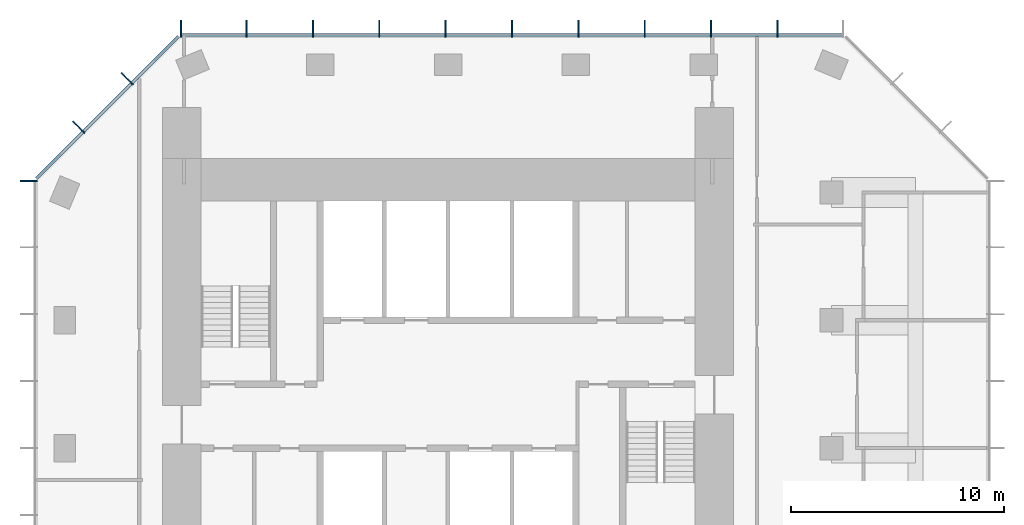
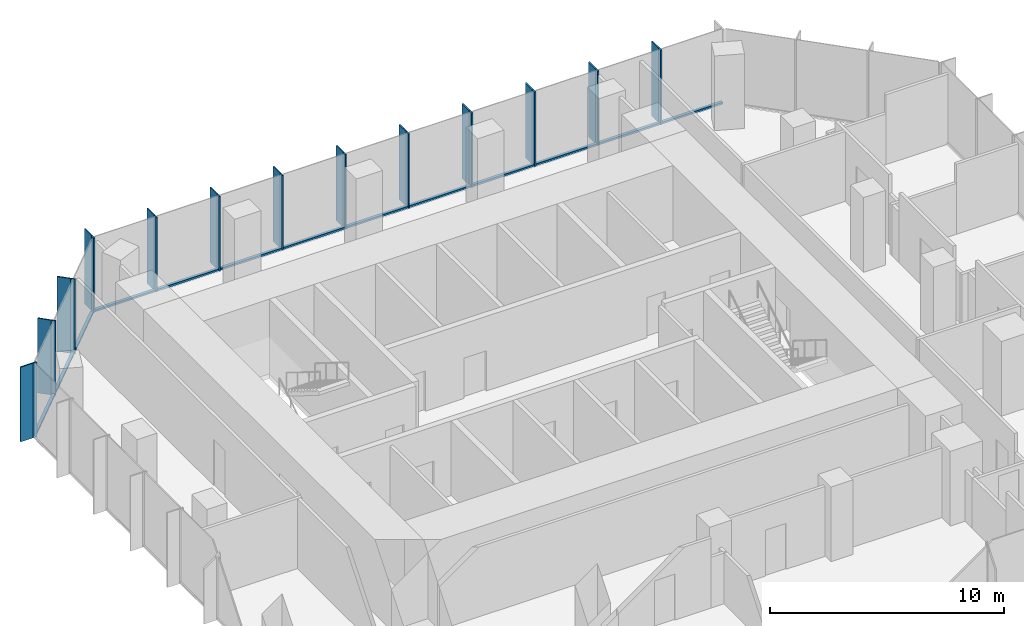
# One storey, part 5 of 11: 39 members, 3 elements without a shape of their own.
"""IFC4 building model written with IfcOpenShell, lengths in metres."""

from ifc_helpers import new_model, si_unit, direction, frame, origin, origin_2d, place, context, subcontext, project, spatial, rectangle, extrude, material, layer, layer_set, material_profile, profile_set, type_object, element, aggregate, save


model = new_model("IFC4")

# Units and contexts
model_context = context("Model", 3, precision=1e-05, world=origin(), true_north=direction((0.0, 1.0)))
body_context = subcontext(model_context, "Body", "Model", "MODEL_VIEW")
ifc_project = project(units=[si_unit("LENGTHUNIT", "METRE"), si_unit("AREAUNIT", "SQUARE_METRE"), si_unit("VOLUMEUNIT", "CUBIC_METRE"), si_unit("PLANEANGLEUNIT", "RADIAN"), si_unit("MASSUNIT", "GRAM", prefix="KILO")], contexts=[model_context])

# Site, building, storey
site_placement = place(None, origin())
site = spatial("IfcSite", under=ifc_project, at=site_placement, CompositionType="ELEMENT")
building_placement = place(site_placement, origin())
building = spatial("IfcBuilding", under=site, at=building_placement, Name="Highveld Stack Headquarters", CompositionType="ELEMENT")
storey_placement = place(building_placement, frame((0.0, 0.0, 280.10009765625)))
storey = spatial("IfcBuildingStorey", under=building, at=storey_placement, Name="L69", CompositionType="ELEMENT", Elevation=280.10009765625)

# Curtain wall, members
ifc_material_1 = material(Name="Aluminium bronze anodised", Category="aluminium")
ifc_layer = layer(ifc_material_1, 0.199951171875)
ifc_layer_set = layer_set([ifc_layer], Name="Aluminium bronze anodised")
curtain_wall_type = type_object("IfcCurtainWallType", Name="CW5 EXECUTIVE UNITISED CURTAIN WALL", PredefinedType="NOTDEFINED", material=ifc_layer_set)
curtain_wall_1_placement = place(storey_placement, origin())
curtain_wall_1 = element("IfcCurtainWall", 1, at=curtain_wall_1_placement, inside=storey, type_object=curtain_wall_type, Name="Curtain wall CW5 L69 N", PredefinedType="NOTDEFINED")
ifc_material_2 = material(Name="Aluminium bronze anodised", Category="aluminium")
ifc_material_profile_1 = material_profile(ifc_material_2, rectangle(XDim=0.60009765625, YDim=0.06005859375, at=origin_2d()), Name="FIN 600x60")
ifc_profile_set_1 = profile_set([ifc_material_profile_1], Name="Aluminium bronze anodised")
member_type_1 = type_object("IfcMemberType", Name="CW5 BRONZE FIN 600x60", PredefinedType="USERDEFINED", material=ifc_profile_set_1)
member_1_placement = place(storey_placement, frame((21.4638671875, 19.800048828125, 0.0), z_axis=(0.0, 0.0, 1.0), x_axis=(0.0, -1.0, 0.0)))
member_1 = element("IfcMember", 2, at=member_1_placement, type_object=member_type_1, Name="CW5 fin L69 2", ObjectType="FIN", PredefinedType="USERDEFINED", context=body_context, shape_type="SweptSolid", body=[
    extrude(rectangle(XDim=0.60009765625, YDim=0.06005859375, at=origin_2d()), origin(), (0.0, 0.0, 1.0), 3.89990234375),
])
member_2_placement = place(storey_placement, frame((18.347900390625, 19.800048828125, 0.0), z_axis=(0.0, 0.0, 1.0), x_axis=(0.0, -1.0, 0.0)))
member_2 = element("IfcMember", 3, at=member_2_placement, type_object=member_type_1, Name="CW5 fin L69 3", ObjectType="FIN", PredefinedType="USERDEFINED", context=body_context, shape_type="SweptSolid", body=[
    extrude(rectangle(XDim=0.60009765625, YDim=0.06005859375, at=origin_2d()), origin(), (0.0, 0.0, 1.0), 3.89990234375),
])
member_3_placement = place(storey_placement, frame((15.23193359375, 19.800048828125, 0.0), z_axis=(0.0, 0.0, 1.0), x_axis=(0.0, -1.0, 0.0)))
member_3 = element("IfcMember", 4, at=member_3_placement, type_object=member_type_1, Name="CW5 fin L69 4", ObjectType="FIN", PredefinedType="USERDEFINED", context=body_context, shape_type="SweptSolid", body=[
    extrude(rectangle(XDim=0.60009765625, YDim=0.06005859375, at=origin_2d()), origin(), (0.0, 0.0, 1.0), 3.89990234375),
])
member_4_placement = place(storey_placement, frame((12.115966796875, 19.800048828125, 0.0), z_axis=(0.0, 0.0, 1.0), x_axis=(0.0, -1.0, 0.0)))
member_4 = element("IfcMember", 5, at=member_4_placement, type_object=member_type_1, Name="CW5 fin L69 5", ObjectType="FIN", PredefinedType="USERDEFINED", context=body_context, shape_type="SweptSolid", body=[
    extrude(rectangle(XDim=0.60009765625, YDim=0.06005859375, at=origin_2d()), origin(), (0.0, 0.0, 1.0), 3.89990234375),
])
member_5_placement = place(storey_placement, frame((9.0, 19.800048828125, 0.0), z_axis=(0.0, 0.0, 1.0), x_axis=(0.0, -1.0, 0.0)))
member_5 = element("IfcMember", 6, at=member_5_placement, type_object=member_type_1, Name="CW5 fin L69 6", ObjectType="FIN", PredefinedType="USERDEFINED", context=body_context, shape_type="SweptSolid", body=[
    extrude(rectangle(XDim=0.60009765625, YDim=0.06005859375, at=origin_2d()), origin(), (0.0, 0.0, 1.0), 3.89990234375),
])
member_6_placement = place(storey_placement, frame((5.884033203125, 19.800048828125, 0.0), z_axis=(0.0, 0.0, 1.0), x_axis=(0.0, -1.0, 0.0)))
member_6 = element("IfcMember", 7, at=member_6_placement, type_object=member_type_1, Name="CW5 fin L69 7", ObjectType="FIN", PredefinedType="USERDEFINED", context=body_context, shape_type="SweptSolid", body=[
    extrude(rectangle(XDim=0.60009765625, YDim=0.06005859375, at=origin_2d()), origin(), (0.0, 0.0, 1.0), 3.89990234375),
])
member_7_placement = place(storey_placement, frame((2.76806640625, 19.800048828125, 0.0), z_axis=(0.0, 0.0, 1.0), x_axis=(0.0, -1.0, 0.0)))
member_7 = element("IfcMember", 8, at=member_7_placement, type_object=member_type_1, Name="CW5 fin L69 8", ObjectType="FIN", PredefinedType="USERDEFINED", context=body_context, shape_type="SweptSolid", body=[
    extrude(rectangle(XDim=0.60009765625, YDim=0.06005859375, at=origin_2d()), origin(), (0.0, 0.0, 1.0), 3.89990234375),
])
member_8_placement = place(storey_placement, frame((-0.347900390625, 19.800048828125, 0.0), z_axis=(0.0, 0.0, 1.0), x_axis=(0.0, -1.0, 0.0)))
member_8 = element("IfcMember", 9, at=member_8_placement, type_object=member_type_1, Name="CW5 fin L69 9", ObjectType="FIN", PredefinedType="USERDEFINED", context=body_context, shape_type="SweptSolid", body=[
    extrude(rectangle(XDim=0.60009765625, YDim=0.06005859375, at=origin_2d()), origin(), (0.0, 0.0, 1.0), 3.89990234375),
])
member_9_placement = place(storey_placement, frame((-3.4638671875, 19.800048828125, 0.0), z_axis=(0.0, 0.0, 1.0), x_axis=(0.0, -1.0, 0.0)))
member_9 = element("IfcMember", 10, at=member_9_placement, type_object=member_type_1, Name="CW5 fin L69 10", ObjectType="FIN", PredefinedType="USERDEFINED", context=body_context, shape_type="SweptSolid", body=[
    extrude(rectangle(XDim=0.60009765625, YDim=0.06005859375, at=origin_2d()), origin(), (0.0, 0.0, 1.0), 3.89990234375),
])
member_10_placement = place(storey_placement, frame((-6.54736328125, 19.800048828125, 0.0), z_axis=(0.0, 0.0, 1.0), x_axis=(0.0, -1.0, 0.0)))
member_10 = element("IfcMember", 11, at=member_10_placement, type_object=member_type_1, Name="CW5 fin L69 11", ObjectType="FIN", PredefinedType="USERDEFINED", context=body_context, shape_type="SweptSolid", body=[
    extrude(rectangle(XDim=0.60009765625, YDim=0.06005859375, at=origin_2d()), origin(), (0.0, 0.0, 1.0), 3.89990234375),
])

curtain_wall_2_placement = place(storey_placement, origin())
curtain_wall_2 = element("IfcCurtainWall", 12, at=curtain_wall_2_placement, inside=storey, type_object=curtain_wall_type, Name="Curtain wall CW5 L69 NW", PredefinedType="NOTDEFINED")
member_11_placement = place(storey_placement, frame((-9.135986328125, 17.409423828125, 0.0), z_axis=(0.0, 0.0, 1.0), x_axis=(0.707106781187, -0.707106781187, 0.0)))
member_11 = element("IfcMember", 13, at=member_11_placement, type_object=member_type_1, Name="CW5 fin L69 1", ObjectType="FIN", PredefinedType="USERDEFINED", context=body_context, shape_type="SweptSolid", body=[
    extrude(rectangle(XDim=0.60009765625, YDim=0.06005859375, at=origin_2d()), origin(), (0.0, 0.0, 1.0), 3.89990234375),
])
member_12_placement = place(storey_placement, frame((-11.409423828125, 15.135986328125, 0.0), z_axis=(0.0, 0.0, 1.0), x_axis=(0.707106781187, -0.707106781187, 0.0)))
member_12 = element("IfcMember", 14, at=member_12_placement, type_object=member_type_1, Name="CW5 fin L69 2", ObjectType="FIN", PredefinedType="USERDEFINED", context=body_context, shape_type="SweptSolid", body=[
    extrude(rectangle(XDim=0.60009765625, YDim=0.06005859375, at=origin_2d()), origin(), (0.0, 0.0, 1.0), 3.89990234375),
])

# Curtain wall, member
curtain_wall_3_placement = place(storey_placement, origin())
curtain_wall_3 = element("IfcCurtainWall", 15, at=curtain_wall_3_placement, inside=storey, type_object=curtain_wall_type, Name="Curtain wall CW5 L69 W", PredefinedType="NOTDEFINED")
member_13_placement = place(storey_placement, frame((-13.800048828125, 12.54736328125, 0.0), z_axis=(0.0, 0.0, 1.0), x_axis=(1.0, 0.0, 0.0)))
member_13 = element("IfcMember", 16, at=member_13_placement, type_object=member_type_1, Name="CW5 fin L69 1", ObjectType="FIN", PredefinedType="USERDEFINED", context=body_context, shape_type="SweptSolid", body=[
    extrude(rectangle(XDim=0.60009765625, YDim=0.06005859375, at=origin_2d()), origin(), (0.0, 0.0, 1.0), 3.89990234375),
])

# Member
ifc_material_3 = material(Name="Aluminium bronze anodised", Category="aluminium")
ifc_material_profile_2 = material_profile(ifc_material_3, rectangle(XDim=0.199951171875, YDim=0.06494140625, at=origin_2d()), Name="CW5 MULLION 65x200")
ifc_profile_set_2 = profile_set([ifc_material_profile_2], Name="Aluminium bronze anodised")
member_type_2 = type_object("IfcMemberType", Name="CW5 MULLION 65x200", PredefinedType="MULLION", material=ifc_profile_set_2)
member_14_placement = place(storey_placement, frame((21.4638671875, 19.39990234375, 0.0), z_axis=(0.0, 0.0, 1.0), x_axis=(0.0, -1.0, 0.0)))
member_14 = element("IfcMember", 17, at=member_14_placement, type_object=member_type_2, Name="CW5 mullion L69 2", PredefinedType="MULLION", context=body_context, shape_type="SweptSolid", body=[
    extrude(rectangle(XDim=0.199951171875, YDim=0.06494140625, at=origin_2d()), origin(), (0.0, 0.0, 1.0), 3.89990234375),
])

member_15_placement = place(storey_placement, frame((18.347900390625, 19.39990234375, 0.0), z_axis=(0.0, 0.0, 1.0), x_axis=(0.0, -1.0, 0.0)))
member_15 = element("IfcMember", 18, at=member_15_placement, type_object=member_type_2, Name="CW5 mullion L69 3", PredefinedType="MULLION", context=body_context, shape_type="SweptSolid", body=[
    extrude(rectangle(XDim=0.199951171875, YDim=0.06494140625, at=origin_2d()), origin(), (0.0, 0.0, 1.0), 3.89990234375),
])

member_16_placement = place(storey_placement, frame((15.23193359375, 19.39990234375, 0.0), z_axis=(0.0, 0.0, 1.0), x_axis=(0.0, -1.0, 0.0)))
member_16 = element("IfcMember", 19, at=member_16_placement, type_object=member_type_2, Name="CW5 mullion L69 4", PredefinedType="MULLION", context=body_context, shape_type="SweptSolid", body=[
    extrude(rectangle(XDim=0.199951171875, YDim=0.06494140625, at=origin_2d()), origin(), (0.0, 0.0, 1.0), 3.89990234375),
])

member_17_placement = place(storey_placement, frame((12.115966796875, 19.39990234375, 0.0), z_axis=(0.0, 0.0, 1.0), x_axis=(0.0, -1.0, 0.0)))
member_17 = element("IfcMember", 20, at=member_17_placement, type_object=member_type_2, Name="CW5 mullion L69 5", PredefinedType="MULLION", context=body_context, shape_type="SweptSolid", body=[
    extrude(rectangle(XDim=0.199951171875, YDim=0.06494140625, at=origin_2d()), origin(), (0.0, 0.0, 1.0), 3.89990234375),
])

member_18_placement = place(storey_placement, frame((9.0, 19.39990234375, 0.0), z_axis=(0.0, 0.0, 1.0), x_axis=(0.0, -1.0, 0.0)))
member_18 = element("IfcMember", 21, at=member_18_placement, type_object=member_type_2, Name="CW5 mullion L69 6", PredefinedType="MULLION", context=body_context, shape_type="SweptSolid", body=[
    extrude(rectangle(XDim=0.199951171875, YDim=0.06494140625, at=origin_2d()), origin(), (0.0, 0.0, 1.0), 3.89990234375),
])

member_19_placement = place(storey_placement, frame((5.884033203125, 19.39990234375, 0.0), z_axis=(0.0, 0.0, 1.0), x_axis=(0.0, -1.0, 0.0)))
member_19 = element("IfcMember", 22, at=member_19_placement, type_object=member_type_2, Name="CW5 mullion L69 7", PredefinedType="MULLION", context=body_context, shape_type="SweptSolid", body=[
    extrude(rectangle(XDim=0.199951171875, YDim=0.06494140625, at=origin_2d()), origin(), (0.0, 0.0, 1.0), 3.89990234375),
])

member_20_placement = place(storey_placement, frame((2.76806640625, 19.39990234375, 0.0), z_axis=(0.0, 0.0, 1.0), x_axis=(0.0, -1.0, 0.0)))
member_20 = element("IfcMember", 23, at=member_20_placement, type_object=member_type_2, Name="CW5 mullion L69 8", PredefinedType="MULLION", context=body_context, shape_type="SweptSolid", body=[
    extrude(rectangle(XDim=0.199951171875, YDim=0.06494140625, at=origin_2d()), origin(), (0.0, 0.0, 1.0), 3.89990234375),
])

member_21_placement = place(storey_placement, frame((-0.347900390625, 19.39990234375, 0.0), z_axis=(0.0, 0.0, 1.0), x_axis=(0.0, -1.0, 0.0)))
member_21 = element("IfcMember", 24, at=member_21_placement, type_object=member_type_2, Name="CW5 mullion L69 9", PredefinedType="MULLION", context=body_context, shape_type="SweptSolid", body=[
    extrude(rectangle(XDim=0.199951171875, YDim=0.06494140625, at=origin_2d()), origin(), (0.0, 0.0, 1.0), 3.89990234375),
])

member_22_placement = place(storey_placement, frame((-3.4638671875, 19.39990234375, 0.0), z_axis=(0.0, 0.0, 1.0), x_axis=(0.0, -1.0, 0.0)))
member_22 = element("IfcMember", 25, at=member_22_placement, type_object=member_type_2, Name="CW5 mullion L69 10", PredefinedType="MULLION", context=body_context, shape_type="SweptSolid", body=[
    extrude(rectangle(XDim=0.199951171875, YDim=0.06494140625, at=origin_2d()), origin(), (0.0, 0.0, 1.0), 3.89990234375),
])

member_23_placement = place(storey_placement, frame((-6.54736328125, 19.39990234375, 0.0), z_axis=(0.0, 0.0, 1.0), x_axis=(0.0, -1.0, 0.0)))
member_23 = element("IfcMember", 26, at=member_23_placement, type_object=member_type_2, Name="CW5 mullion L69 11", PredefinedType="MULLION", context=body_context, shape_type="SweptSolid", body=[
    extrude(rectangle(XDim=0.199951171875, YDim=0.06494140625, at=origin_2d()), origin(), (0.0, 0.0, 1.0), 3.89990234375),
])

member_24_placement = place(storey_placement, frame((-8.853271484375, 17.126708984375, 0.0), z_axis=(0.0, 0.0, 1.0), x_axis=(0.707106781187, -0.707106781187, 0.0)))
member_24 = element("IfcMember", 27, at=member_24_placement, type_object=member_type_2, Name="CW5 mullion L69 1", PredefinedType="MULLION", context=body_context, shape_type="SweptSolid", body=[
    extrude(rectangle(XDim=0.199951171875, YDim=0.06494140625, at=origin_2d()), origin(), (0.0, 0.0, 1.0), 3.89990234375),
])

member_25_placement = place(storey_placement, frame((-11.126708984375, 14.853271484375, 0.0), z_axis=(0.0, 0.0, 1.0), x_axis=(0.707106781187, -0.707106781187, 0.0)))
member_25 = element("IfcMember", 28, at=member_25_placement, type_object=member_type_2, Name="CW5 mullion L69 2", PredefinedType="MULLION", context=body_context, shape_type="SweptSolid", body=[
    extrude(rectangle(XDim=0.199951171875, YDim=0.06494140625, at=origin_2d()), origin(), (0.0, 0.0, 1.0), 3.89990234375),
])

member_26_placement = place(storey_placement, frame((-13.39990234375, 12.54736328125, 0.0), z_axis=(0.0, 0.0, 1.0), x_axis=(1.0, 0.0, 0.0)))
member_26 = element("IfcMember", 29, at=member_26_placement, type_object=member_type_2, Name="CW5 mullion L69 1", PredefinedType="MULLION", context=body_context, shape_type="SweptSolid", body=[
    extrude(rectangle(XDim=0.199951171875, YDim=0.06494140625, at=origin_2d()), origin(), (0.0, 0.0, 1.0), 3.89990234375),
])

aggregate(curtain_wall_3, [member_26, member_13])

ifc_material_4 = material(Name="Aluminium bronze anodised", Category="aluminium")
ifc_material_profile_3 = material_profile(ifc_material_4, rectangle(XDim=0.14990234375, YDim=0.10009765625, at=origin_2d()), Name="CW5 TRANSOM 150x100")
ifc_profile_set_3 = profile_set([ifc_material_profile_3], Name="Aluminium bronze anodised")
member_type_3 = type_object("IfcMemberType", Name="CW5 STACK TRANSOM 150x100", PredefinedType="USERDEFINED", material=ifc_profile_set_3)
member_27_placement = place(storey_placement, frame((24.514892578125, 19.39990234375, 0.0498046875), z_axis=(-1.0, 0.0, 0.0), x_axis=(0.0, -1.0, 0.0)))
member_27 = element("IfcMember", 30, at=member_27_placement, type_object=member_type_3, Name="CW5 transom L69 1.1", ObjectType="TRANSOM", PredefinedType="USERDEFINED", context=body_context, shape_type="SweptSolid", body=[
    extrude(rectangle(XDim=0.14990234375, YDim=0.10009765625, at=origin_2d()), origin(), (0.0, 0.0, 1.0), 3.0185546875),
])

member_28_placement = place(storey_placement, frame((21.431396484375, 19.39990234375, 0.0498046875), z_axis=(-1.0, 0.0, 0.0), x_axis=(0.0, -1.0, 0.0)))
member_28 = element("IfcMember", 31, at=member_28_placement, type_object=member_type_3, Name="CW5 transom L69 2.1", ObjectType="TRANSOM", PredefinedType="USERDEFINED", context=body_context, shape_type="SweptSolid", body=[
    extrude(rectangle(XDim=0.14990234375, YDim=0.10009765625, at=origin_2d()), origin(), (0.0, 0.0, 1.0), 3.051025390625),
])

member_29_placement = place(storey_placement, frame((18.3154296875, 19.39990234375, 0.0498046875), z_axis=(-1.0, 0.0, 0.0), x_axis=(0.0, -1.0, 0.0)))
member_29 = element("IfcMember", 32, at=member_29_placement, type_object=member_type_3, Name="CW5 transom L69 3.1", ObjectType="TRANSOM", PredefinedType="USERDEFINED", context=body_context, shape_type="SweptSolid", body=[
    extrude(rectangle(XDim=0.14990234375, YDim=0.10009765625, at=origin_2d()), origin(), (0.0, 0.0, 1.0), 3.051025390625),
])

member_30_placement = place(storey_placement, frame((15.199462890625, 19.39990234375, 0.0498046875), z_axis=(-1.0, 0.0, 0.0), x_axis=(0.0, -1.0, 0.0)))
member_30 = element("IfcMember", 33, at=member_30_placement, type_object=member_type_3, Name="CW5 transom L69 4.1", ObjectType="TRANSOM", PredefinedType="USERDEFINED", context=body_context, shape_type="SweptSolid", body=[
    extrude(rectangle(XDim=0.14990234375, YDim=0.10009765625, at=origin_2d()), origin(), (0.0, 0.0, 1.0), 3.051025390625),
])

member_31_placement = place(storey_placement, frame((12.08349609375, 19.39990234375, 0.0498046875), z_axis=(-1.0, 0.0, 0.0), x_axis=(0.0, -1.0, 0.0)))
member_31 = element("IfcMember", 34, at=member_31_placement, type_object=member_type_3, Name="CW5 transom L69 5.1", ObjectType="TRANSOM", PredefinedType="USERDEFINED", context=body_context, shape_type="SweptSolid", body=[
    extrude(rectangle(XDim=0.14990234375, YDim=0.10009765625, at=origin_2d()), origin(), (0.0, 0.0, 1.0), 3.051025390625),
])

member_32_placement = place(storey_placement, frame((8.967529296875, 19.39990234375, 0.0498046875), z_axis=(-1.0, 0.0, 0.0), x_axis=(0.0, -1.0, 0.0)))
member_32 = element("IfcMember", 35, at=member_32_placement, type_object=member_type_3, Name="CW5 transom L69 6.1", ObjectType="TRANSOM", PredefinedType="USERDEFINED", context=body_context, shape_type="SweptSolid", body=[
    extrude(rectangle(XDim=0.14990234375, YDim=0.10009765625, at=origin_2d()), origin(), (0.0, 0.0, 1.0), 3.051025390625),
])

member_33_placement = place(storey_placement, frame((5.8515625, 19.39990234375, 0.0498046875), z_axis=(-1.0, 0.0, 0.0), x_axis=(0.0, -1.0, 0.0)))
member_33 = element("IfcMember", 36, at=member_33_placement, type_object=member_type_3, Name="CW5 transom L69 7.1", ObjectType="TRANSOM", PredefinedType="USERDEFINED", context=body_context, shape_type="SweptSolid", body=[
    extrude(rectangle(XDim=0.14990234375, YDim=0.10009765625, at=origin_2d()), origin(), (0.0, 0.0, 1.0), 3.051025390625),
])

member_34_placement = place(storey_placement, frame((2.735595703125, 19.39990234375, 0.0498046875), z_axis=(-1.0, 0.0, 0.0), x_axis=(0.0, -1.0, 0.0)))
member_34 = element("IfcMember", 37, at=member_34_placement, type_object=member_type_3, Name="CW5 transom L69 8.1", ObjectType="TRANSOM", PredefinedType="USERDEFINED", context=body_context, shape_type="SweptSolid", body=[
    extrude(rectangle(XDim=0.14990234375, YDim=0.10009765625, at=origin_2d()), origin(), (0.0, 0.0, 1.0), 3.051025390625),
])

member_35_placement = place(storey_placement, frame((-0.38037109375, 19.39990234375, 0.0498046875), z_axis=(-1.0, 0.0, 0.0), x_axis=(0.0, -1.0, 0.0)))
member_35 = element("IfcMember", 38, at=member_35_placement, type_object=member_type_3, Name="CW5 transom L69 9.1", ObjectType="TRANSOM", PredefinedType="USERDEFINED", context=body_context, shape_type="SweptSolid", body=[
    extrude(rectangle(XDim=0.14990234375, YDim=0.10009765625, at=origin_2d()), origin(), (0.0, 0.0, 1.0), 3.051025390625),
])

member_36_placement = place(storey_placement, frame((-3.496337890625, 19.39990234375, 0.0498046875), z_axis=(-1.0, 0.0, 0.0), x_axis=(0.0, -1.0, 0.0)))
member_36 = element("IfcMember", 39, at=member_36_placement, type_object=member_type_3, Name="CW5 transom L69 10.1", ObjectType="TRANSOM", PredefinedType="USERDEFINED", context=body_context, shape_type="SweptSolid", body=[
    extrude(rectangle(XDim=0.14990234375, YDim=0.10009765625, at=origin_2d()), origin(), (0.0, 0.0, 1.0), 3.0185546875),
])

aggregate(curtain_wall_1, [member_14, member_1, member_15, member_2, member_16, member_3, member_17, member_4, member_18, member_5, member_19, member_6, member_20, member_7, member_21, member_8, member_22, member_9, member_23, member_10, member_27, member_28, member_29, member_30, member_31, member_32, member_33, member_34, member_35, member_36])

member_37_placement = place(storey_placement, frame((-6.650634765625, 19.329345703125, 0.0498046875), z_axis=(-0.707106781187, -0.707106781187, 0.0), x_axis=(0.707106781187, -0.707106781187, 0.0)))
member_37 = element("IfcMember", 40, at=member_37_placement, type_object=member_type_3, Name="CW5 transom L69 1.1", ObjectType="TRANSOM", PredefinedType="USERDEFINED", context=body_context, shape_type="SweptSolid", body=[
    extrude(rectangle(XDim=0.14990234375, YDim=0.10009765625, at=origin_2d()), origin(), (0.0, 0.0, 1.0), 3.08251953125),
])

member_38_placement = place(storey_placement, frame((-8.876220703125, 17.103759765625, 0.0498046875), z_axis=(-0.707106781187, -0.707106781187, 0.0), x_axis=(0.707106781187, -0.707106781187, 0.0)))
member_38 = element("IfcMember", 41, at=member_38_placement, type_object=member_type_3, Name="CW5 transom L69 2.1", ObjectType="TRANSOM", PredefinedType="USERDEFINED", context=body_context, shape_type="SweptSolid", body=[
    extrude(rectangle(XDim=0.14990234375, YDim=0.10009765625, at=origin_2d()), origin(), (0.0, 0.0, 1.0), 3.150146484375),
])

member_39_placement = place(storey_placement, frame((-11.149658203125, 14.830322265625, 0.0498046875), z_axis=(-0.707106781187, -0.707106781187, 0.0), x_axis=(0.707106781187, -0.707106781187, 0.0)))
member_39 = element("IfcMember", 42, at=member_39_placement, type_object=member_type_3, Name="CW5 transom L69 3.1", ObjectType="TRANSOM", PredefinedType="USERDEFINED", context=body_context, shape_type="SweptSolid", body=[
    extrude(rectangle(XDim=0.14990234375, YDim=0.10009765625, at=origin_2d()), origin(), (0.0, 0.0, 1.0), 3.08251953125),
])

aggregate(curtain_wall_2, [member_24, member_11, member_25, member_12, member_37, member_38, member_39])

save(model, "model.ifc")
